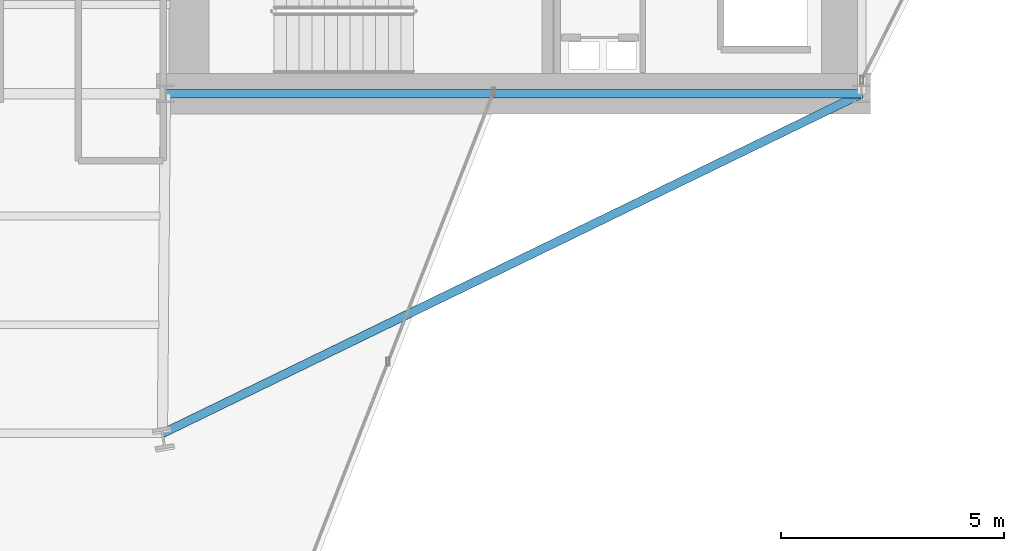
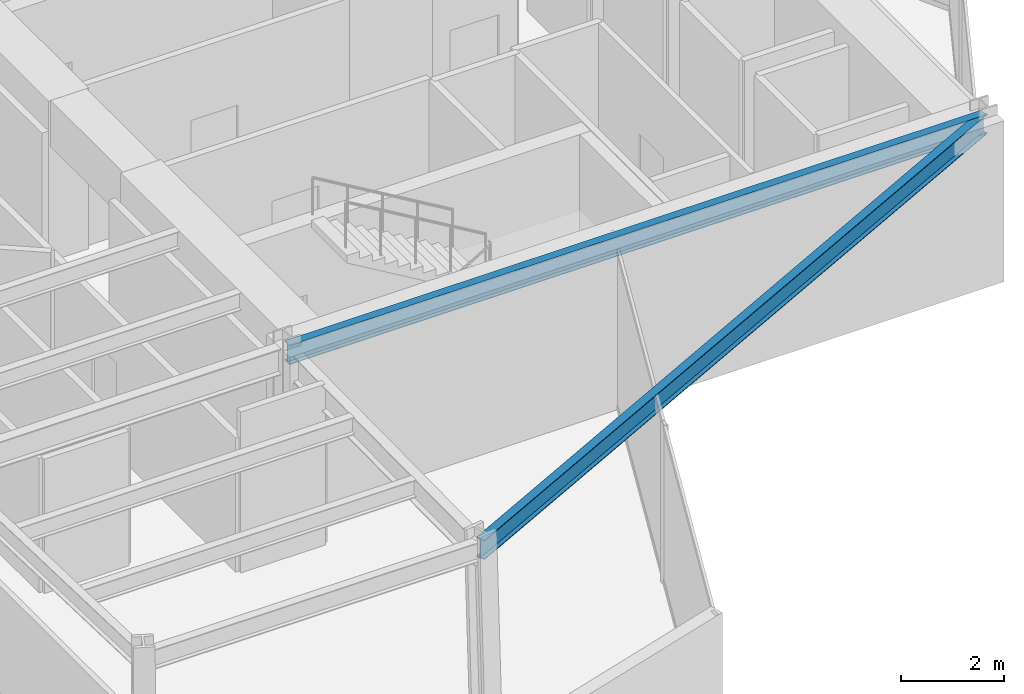
# One storey, part 14 of 29: 2 beams.
"""IFC4 building model written with IfcOpenShell, lengths in metres."""

from ifc_helpers import new_model, si_unit, direction, frame, origin, origin_2d, place, context, subcontext, project, spatial, i_section, extrude, material, material_profile, profile_set, type_object, element, save


model = new_model("IFC4")

# Units and contexts
model_context = context("Model", 3, precision=1e-05, world=origin(), true_north=direction((0.0, 1.0)))
body_context = subcontext(model_context, "Body", "Model", "MODEL_VIEW")
ifc_project = project(units=[si_unit("LENGTHUNIT", "METRE"), si_unit("AREAUNIT", "SQUARE_METRE"), si_unit("VOLUMEUNIT", "CUBIC_METRE"), si_unit("PLANEANGLEUNIT", "RADIAN"), si_unit("MASSUNIT", "GRAM", prefix="KILO")], contexts=[model_context])

# Site, building, storey
site_placement = place(None, origin())
site = spatial("IfcSite", under=ifc_project, at=site_placement, CompositionType="ELEMENT")
building_placement = place(site_placement, origin())
building = spatial("IfcBuilding", under=site, at=building_placement, Name="Veymaron Broadcast Tower", CompositionType="ELEMENT")
storey_placement = place(building_placement, frame((0.0, 0.0, 58.050048828125)))
storey = spatial("IfcBuildingStorey", under=building, at=storey_placement, Name="L12", CompositionType="ELEMENT", Elevation=58.050048828125)

# Beams
ifc_material = material(Name="Structural steel ASTM A992 Gr 50", Category="steel")
ifc_material_profile = material_profile(ifc_material, i_section(OverallWidth=0.19091796875, OverallDepth=0.4599609375, WebThickness=0.010009765625, FlangeThickness=0.01611328125, at=origin_2d()), Name="W460X82")
ifc_profile_set = profile_set([ifc_material_profile], Name="Structural steel ASTM A992 Gr 50")
beam_type = type_object("IfcBeamType", Name="BM-SP1", PredefinedType="SPANDREL", material=ifc_profile_set)
beam_1_placement = place(storey_placement, frame((39.0, 16.0, 3.579833984375), z_axis=(1.0, 0.0, 0.0), x_axis=(0.0, 1.0, 0.0)))
element("IfcBeam", 1, at=beam_1_placement, inside=storey, type_object=beam_type, Name="L12 primary structural floor girder", PredefinedType="SPANDREL", context=body_context, shape_type="SweptSolid", body=[
    extrude(i_section(OverallWidth=0.19091796875, OverallDepth=0.4599609375, WebThickness=0.010009765625, FlangeThickness=0.01611328125, at=origin_2d()), origin(), (0.0, 0.0, 1.0), 15.60009765625),
])
beam_2_placement = place(storey_placement, frame((54.60009765625, 16.0, 3.579833984375), z_axis=(-0.899477147295, -0.436967803727, 0.0), x_axis=(0.436967803727, -0.899477147295, 0.0)))
element("IfcBeam", 2, at=beam_2_placement, inside=storey, type_object=beam_type, Name="L12 primary structural floor girder", PredefinedType="SPANDREL", context=body_context, shape_type="SweptSolid", body=[
    extrude(i_section(OverallWidth=0.19091796875, OverallDepth=0.4599609375, WebThickness=0.010009765625, FlangeThickness=0.01611328125, at=origin_2d()), origin(), (0.0, 0.0, 1.0), 17.415771484375),
])

save(model, "model.ifc")
